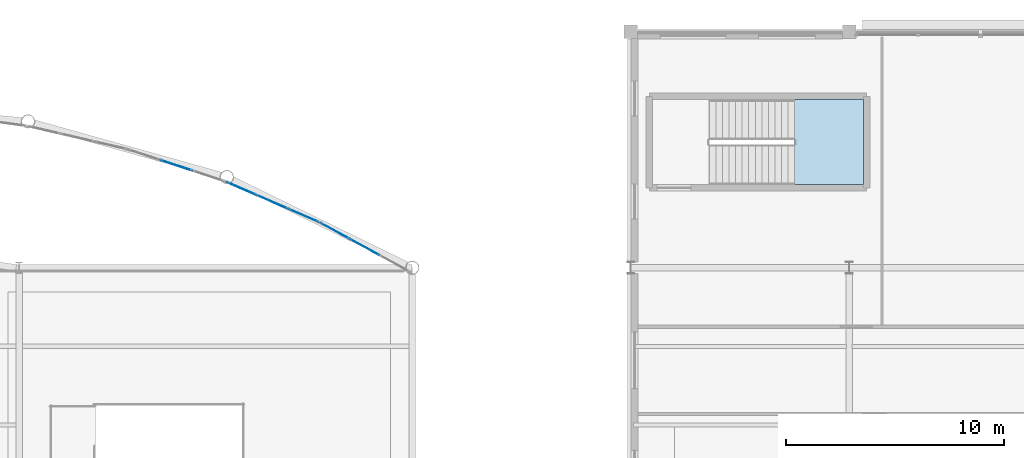
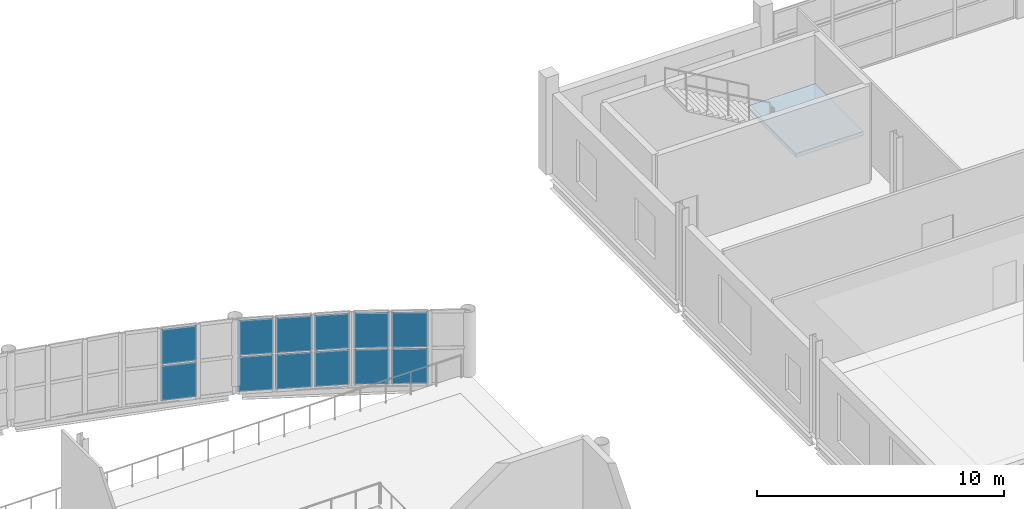
# One storey, part 117 of 134: 12 plates, 1 slab, 4 elements without a shape of their own.
"""IFC4 building model written with IfcOpenShell, lengths in metres."""

from ifc_helpers import new_model, si_unit, direction, frame, origin, origin_2d, place, context, subcontext, project, spatial, polyline, rectangle, outline, extrude, material, layer, layer_set, type_object, element, aggregate, save


model = new_model("IFC4")

# Units and contexts
model_context = context("Model", 3, precision=1e-05, world=origin(), true_north=direction((0.0, 1.0)))
body_context = subcontext(model_context, "Body", "Model", "MODEL_VIEW")
ifc_project = project(units=[si_unit("LENGTHUNIT", "METRE"), si_unit("AREAUNIT", "SQUARE_METRE"), si_unit("VOLUMEUNIT", "CUBIC_METRE"), si_unit("PLANEANGLEUNIT", "RADIAN"), si_unit("MASSUNIT", "GRAM", prefix="KILO")], contexts=[model_context])

# Site, building, storey
site_placement = place(None, origin())
site = spatial("IfcSite", under=ifc_project, at=site_placement, CompositionType="ELEMENT")
building_placement = place(site_placement, origin())
building = spatial("IfcBuilding", under=site, at=building_placement, Name="Tamarisk Ironworks Central Station", CompositionType="ELEMENT")
storey_placement = place(building_placement, frame((0.0, 0.0, 12.60009765625)))
storey = spatial("IfcBuildingStorey", under=building, at=storey_placement, Name="L02", CompositionType="ELEMENT", Elevation=12.60009765625)

# Curtain wall, plates
ifc_material_1 = material(Name="Anodized aluminium alloy 6063-T6", Category="aluminium")
ifc_layer_1 = layer(ifc_material_1, 0.179931640625)
ifc_layer_set_1 = layer_set([ifc_layer_1], Name="Anodized aluminium alloy 6063-T6")
curtain_wall_type = type_object("IfcCurtainWallType", Name="CW-03", PredefinedType="USERDEFINED", material=ifc_layer_set_1)
curtain_wall_1_placement = place(storey_placement, origin())
curtain_wall_1 = element("IfcCurtainWall", 1, at=curtain_wall_1_placement, inside=storey, type_object=curtain_wall_type, Name="NN rounded entrance hall L02 curtain wall bay 10", ObjectType="GLAZED CURTAIN WALL", PredefinedType="USERDEFINED")
ifc_material_2 = material(Name="Laminated solar-control low-E glass", Category="glass")
ifc_layer_2 = layer(ifc_material_2, 0.028076171875)
ifc_layer_set_2 = layer_set([ifc_layer_2], Name="Laminated solar-control low-E glass")
plate_type = type_object("IfcPlateType", Name="PL-CWP28", PredefinedType="CURTAIN_PANEL", material=ifc_layer_set_2)
plate_1_placement = place(storey_placement, frame((97.1953125, 116.28466796875, -0.316162109375), z_axis=(0.0, 0.0, 1.0), x_axis=(0.949720671692, -0.313098460171, 0.0)))
plate_1 = element("IfcPlate", 2, at=plate_1_placement, type_object=plate_type, Name="CW03 panel 2.1", PredefinedType="CURTAIN_PANEL", context=body_context, shape_type="SweptSolid", body=[
    extrude(rectangle(XDim=1.5068359375, YDim=0.028076171875, at=origin_2d()), origin(), (0.0, 0.0, 1.0), 1.73193359375),
])
plate_2_placement = place(storey_placement, frame((97.1953125, 116.28466796875, 1.47900390625), z_axis=(0.0, 0.0, 1.0), x_axis=(0.949720671692, -0.313098460171, 0.0)))
plate_2 = element("IfcPlate", 3, at=plate_2_placement, type_object=plate_type, Name="CW03 panel 2.2", PredefinedType="CURTAIN_PANEL", context=body_context, shape_type="SweptSolid", body=[
    extrude(rectangle(XDim=1.5068359375, YDim=0.028076171875, at=origin_2d()), origin(), (0.0, 0.0, 1.0), 1.73193359375),
])
aggregate(curtain_wall_1, [plate_1, plate_2])

curtain_wall_2_placement = place(storey_placement, origin())
curtain_wall_2 = element("IfcCurtainWall", 4, at=curtain_wall_2_placement, inside=storey, type_object=curtain_wall_type, Name="NN rounded entrance hall L02 curtain wall bay 11", ObjectType="GLAZED CURTAIN WALL", PredefinedType="USERDEFINED")
plate_3_placement = place(storey_placement, frame((100.1689453125, 115.2275390625, -0.316162109375), z_axis=(0.0, 0.0, 1.0), x_axis=(0.917352033503, -0.398076935564, 0.0)))
plate_3 = element("IfcPlate", 5, at=plate_3_placement, type_object=plate_type, Name="CW03 panel 1.1", PredefinedType="CURTAIN_PANEL", context=body_context, shape_type="SweptSolid", body=[
    extrude(rectangle(XDim=1.469482421875, YDim=0.028076171875, at=origin_2d()), origin(), (0.0, 0.0, 1.0), 1.73193359375),
])
plate_4_placement = place(storey_placement, frame((100.1689453125, 115.2275390625, 1.47900390625), z_axis=(0.0, 0.0, 1.0), x_axis=(0.917352033503, -0.398076935564, 0.0)))
plate_4 = element("IfcPlate", 6, at=plate_4_placement, type_object=plate_type, Name="CW03 panel 1.2", PredefinedType="CURTAIN_PANEL", context=body_context, shape_type="SweptSolid", body=[
    extrude(rectangle(XDim=1.469482421875, YDim=0.028076171875, at=origin_2d()), origin(), (0.0, 0.0, 1.0), 1.73193359375),
])
plate_5_placement = place(storey_placement, frame((101.592041015625, 114.610107421875, -0.316162109375), z_axis=(0.0, 0.0, 1.0), x_axis=(0.917352033503, -0.398076935564, 0.0)))
plate_5 = element("IfcPlate", 7, at=plate_5_placement, type_object=plate_type, Name="CW03 panel 2.1", PredefinedType="CURTAIN_PANEL", context=body_context, shape_type="SweptSolid", body=[
    extrude(rectangle(XDim=1.5068359375, YDim=0.028076171875, at=origin_2d()), origin(), (0.0, 0.0, 1.0), 1.73193359375),
])
plate_6_placement = place(storey_placement, frame((101.592041015625, 114.610107421875, 1.47900390625), z_axis=(0.0, 0.0, 1.0), x_axis=(0.917352033503, -0.398076935564, 0.0)))
plate_6 = element("IfcPlate", 8, at=plate_6_placement, type_object=plate_type, Name="CW03 panel 2.2", PredefinedType="CURTAIN_PANEL", context=body_context, shape_type="SweptSolid", body=[
    extrude(rectangle(XDim=1.5068359375, YDim=0.028076171875, at=origin_2d()), origin(), (0.0, 0.0, 1.0), 1.73193359375),
])
plate_7_placement = place(storey_placement, frame((103.014892578125, 113.992431640625, -0.316162109375), z_axis=(0.0, 0.0, 1.0), x_axis=(0.917352033503, -0.398076935564, 0.0)))
plate_7 = element("IfcPlate", 9, at=plate_7_placement, type_object=plate_type, Name="CW03 panel 3.1", PredefinedType="CURTAIN_PANEL", context=body_context, shape_type="SweptSolid", body=[
    extrude(rectangle(XDim=1.469482421875, YDim=0.028076171875, at=origin_2d()), origin(), (0.0, 0.0, 1.0), 1.73193359375),
])
plate_8_placement = place(storey_placement, frame((103.014892578125, 113.992431640625, 1.47900390625), z_axis=(0.0, 0.0, 1.0), x_axis=(0.917352033503, -0.398076935564, 0.0)))
plate_8 = element("IfcPlate", 10, at=plate_8_placement, type_object=plate_type, Name="CW03 panel 3.2", PredefinedType="CURTAIN_PANEL", context=body_context, shape_type="SweptSolid", body=[
    extrude(rectangle(XDim=1.469482421875, YDim=0.028076171875, at=origin_2d()), origin(), (0.0, 0.0, 1.0), 1.73193359375),
])
aggregate(curtain_wall_2, [plate_3, plate_4, plate_5, plate_6, plate_7, plate_8])

curtain_wall_3_placement = place(storey_placement, origin())
curtain_wall_3 = element("IfcCurtainWall", 11, at=curtain_wall_3_placement, inside=storey, type_object=curtain_wall_type, Name="NN rounded entrance hall L02 curtain wall bay 12", ObjectType="GLAZED CURTAIN WALL", PredefinedType="USERDEFINED")
plate_9_placement = place(storey_placement, frame((104.457275390625, 113.286865234375, -0.316162109375), z_axis=(0.0, 0.0, 1.0), x_axis=(0.877374910495, -0.47980544644, 0.0)))
plate_9 = element("IfcPlate", 12, at=plate_9_placement, type_object=plate_type, Name="CW03 panel 1.1", PredefinedType="CURTAIN_PANEL", context=body_context, shape_type="SweptSolid", body=[
    extrude(rectangle(XDim=1.469482421875, YDim=0.028076171875, at=origin_2d()), origin(), (0.0, 0.0, 1.0), 1.73193359375),
])
plate_10_placement = place(storey_placement, frame((104.457275390625, 113.286865234375, 1.47900390625), z_axis=(0.0, 0.0, 1.0), x_axis=(0.877374910495, -0.47980544644, 0.0)))
plate_10 = element("IfcPlate", 13, at=plate_10_placement, type_object=plate_type, Name="CW03 panel 1.2", PredefinedType="CURTAIN_PANEL", context=body_context, shape_type="SweptSolid", body=[
    extrude(rectangle(XDim=1.469482421875, YDim=0.028076171875, at=origin_2d()), origin(), (0.0, 0.0, 1.0), 1.73193359375),
])
plate_11_placement = place(storey_placement, frame((105.818359375, 112.542724609375, -0.316162109375), z_axis=(0.0, 0.0, 1.0), x_axis=(0.877374910495, -0.47980544644, 0.0)))
plate_11 = element("IfcPlate", 14, at=plate_11_placement, type_object=plate_type, Name="CW03 panel 2.1", PredefinedType="CURTAIN_PANEL", context=body_context, shape_type="SweptSolid", body=[
    extrude(rectangle(XDim=1.5068359375, YDim=0.028076171875, at=origin_2d()), origin(), (0.0, 0.0, 1.0), 1.73193359375),
])
plate_12_placement = place(storey_placement, frame((105.818359375, 112.542724609375, 1.47900390625), z_axis=(0.0, 0.0, 1.0), x_axis=(0.877374910495, -0.47980544644, 0.0)))
plate_12 = element("IfcPlate", 15, at=plate_12_placement, type_object=plate_type, Name="CW03 panel 2.2", PredefinedType="CURTAIN_PANEL", context=body_context, shape_type="SweptSolid", body=[
    extrude(rectangle(XDim=1.5068359375, YDim=0.028076171875, at=origin_2d()), origin(), (0.0, 0.0, 1.0), 1.73193359375),
])
aggregate(curtain_wall_3, [plate_9, plate_10, plate_11, plate_12])

# Stair, slab
ifc_material_3 = material(Name="Concrete C35/45", Category="concrete")
stair_type = type_object("IfcStairType", Name="ST-CORE-C", PredefinedType="HALF_TURN_STAIR", material=ifc_material_3)
stair_placement = place(storey_placement, origin())
stair = element("IfcStair", 16, at=stair_placement, inside=storey, type_object=stair_type, Name="L02 Courtyard Exit Stair Core 5", PredefinedType="HALF_TURN_STAIR")
ifc_layer_3 = layer(ifc_material_3, 0.215087890625)
ifc_layer_set_3 = layer_set([ifc_layer_3], Name="Concrete C35/45")
slab_type = type_object("IfcSlabType", Name="SL-LD220", PredefinedType="LANDING", material=ifc_layer_set_3)
slab_placement = place(storey_placement, frame((0.0, 0.0, 2.199951171875)))
slab = element("IfcSlab", 17, at=slab_placement, type_object=slab_type, Name="ST-C5 landing 1", PredefinedType="LANDING", context=body_context, shape_type="SweptSolid", body=[
    extrude(outline(polyline([(125.5, 115.39990234375), (128.64990234375, 115.39990234375), (128.64990234375, 119.300048828125), (125.5, 119.300048828125), (125.5, 115.39990234375)])), origin(), (0.0, 0.0, 1.0), 0.199951171875),
])
aggregate(stair, [slab])

save(model, "model.ifc")
